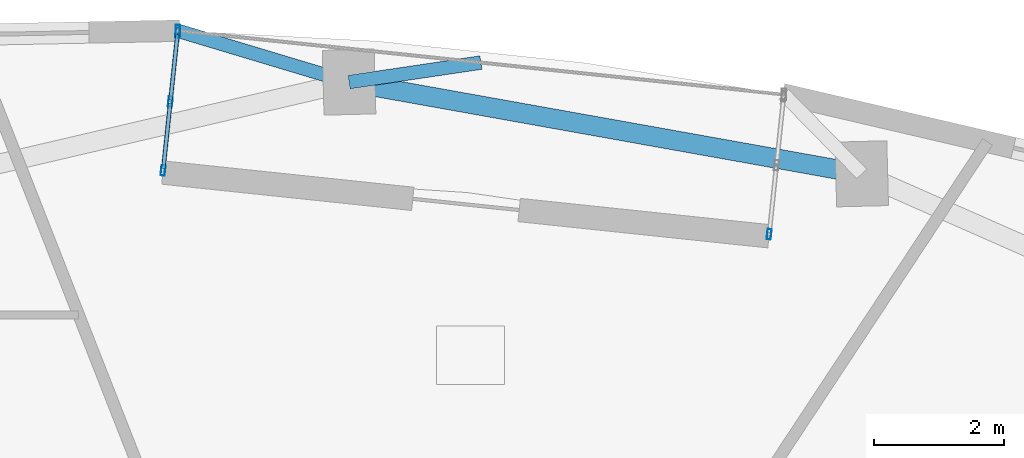
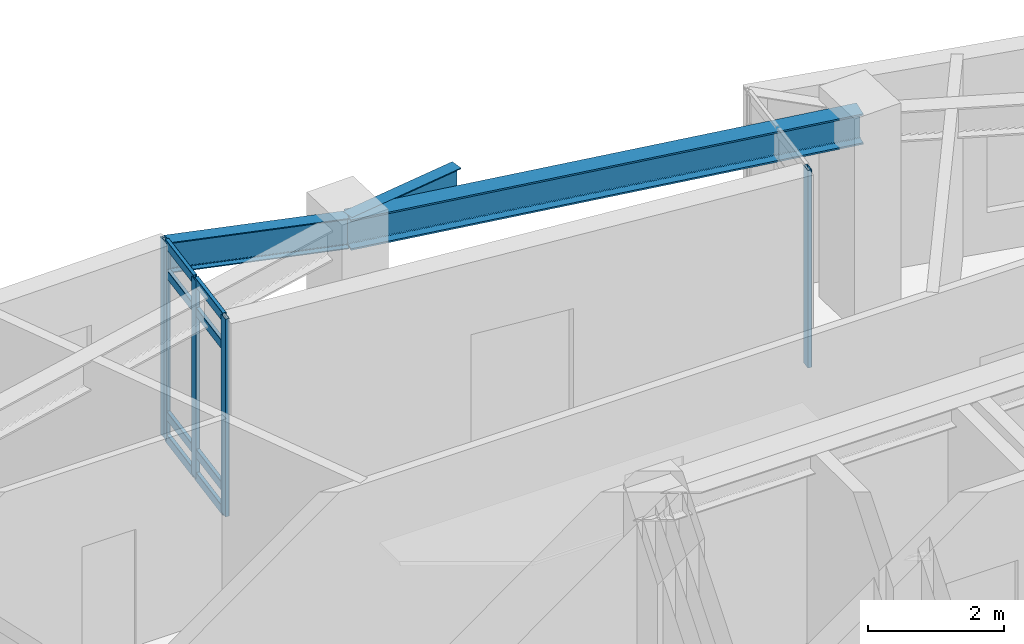
# One storey, part 2 of 12: 13 members, 3 beams, 2 elements without a shape of their own.
"""IFC4 building model written with IfcOpenShell, lengths in metres."""

import ifcopenshell
import ifcopenshell.guid

model = None  # the IFC model being written
_history = None  # IfcOwnerHistory: only IFC2X3 demands one
_inside = {}  # id of a spatial element -> (the spatial element, [elements in it])
_under = {}  # id of a project, library or spatial element -> (it, [spatial elements below it])
_declared = {}  # id of a project -> (the project, [libraries it declares])
_typed = {}  # id of a type object -> (the type object, [elements of that type])
_made_of = {}  # id of a material, layer set ... -> (it, [elements and type objects made of it])


def new_model(schema):
    """Start an empty IFC model of exactly this schema.

    Asked for "IFC4X3", IfcOpenShell would pick the latest addendum, in which some entities
    have other attributes; the version numbers below select the first issue.
    IFC2X3 requires an IfcOwnerHistory on every rooted entity: one is made here for all.
    """
    global model, _history
    if schema == "IFC4X3":
        model = ifcopenshell.file(schema_version=(4, 3, 0, 0))
    else:
        model = ifcopenshell.file(schema=schema)
    _inside.clear()
    _under.clear()
    _declared.clear()
    _typed.clear()
    _made_of.clear()
    _history = None
    if model.schema == "IFC2X3":
        org = make("IfcOrganization", Name="unknown")
        user = make(
            "IfcPersonAndOrganization",
            ThePerson=make("IfcPerson", FamilyName="unknown"),
            TheOrganization=org,
        )
        app = make(
            "IfcApplication",
            ApplicationDeveloper=org,
            Version="unknown",
            ApplicationFullName="unknown",
            ApplicationIdentifier="unknown",
        )
        _history = make(
            "IfcOwnerHistory",
            OwningUser=user,
            OwningApplication=app,
            ChangeAction="ADDED",
            CreationDate=0,
        )
    return model


def make(cls, **values):
    """One entity of the class cls with the attributes given. An attribute that is None is left unset."""
    return model.create_entity(
        cls, **{name: value for name, value in values.items() if value is not None}
    )


def rooted(cls, **values):
    """An entity with a GlobalId (a new one), such as an element, a storey or a relation."""
    return make(cls, GlobalId=ifcopenshell.guid.new(), OwnerHistory=_history, **values)


def si_unit(unit_type, name, prefix=None):
    """IfcSIUnit, for example si_unit("LENGTHUNIT", "METRE", prefix="MILLI")."""
    return make("IfcSIUnit", UnitType=unit_type, Prefix=prefix, Name=name)


def assignment(units):
    """IfcUnitAssignment: the units of a project."""
    return None if units is None else make("IfcUnitAssignment", Units=units)


def point(xyz):
    """IfcCartesianPoint."""
    return None if xyz is None else make("IfcCartesianPoint", Coordinates=xyz)


def direction(xyz):
    """IfcDirection."""
    return None if xyz is None else make("IfcDirection", DirectionRatios=xyz)


def frame(location, z_axis=None, x_axis=None):
    """IfcAxis2Placement3D, a coordinate frame: its origin and axes. An axis left out is left unset."""
    return make(
        "IfcAxis2Placement3D",
        Location=point(location),
        Axis=direction(z_axis),
        RefDirection=direction(x_axis),
    )


def frame_2d(location, x_axis=None):
    """IfcAxis2Placement2D, a coordinate frame in the plane: its origin and x axis."""
    return make(
        "IfcAxis2Placement2D", Location=point(location), RefDirection=direction(x_axis)
    )


def origin():
    """The frame at (0, 0, 0) with its axes left unset."""
    return frame((0.0, 0.0, 0.0))


def origin_2d():
    """The frame at (0, 0) in the plane with its x axis left unset."""
    return frame_2d((0.0, 0.0))


def place(relative_to, where):
    """IfcLocalPlacement: puts the frame where relative to a parent placement (None: the world)."""
    return make(
        "IfcLocalPlacement", PlacementRelTo=relative_to, RelativePlacement=where
    )


def context(
    kind, dimensions, precision=None, world=None, true_north=None, identifier=None
):
    """IfcGeometricRepresentationContext, for example the 3D "Model" context."""
    return make(
        "IfcGeometricRepresentationContext",
        ContextIdentifier=identifier,
        ContextType=kind,
        CoordinateSpaceDimension=dimensions,
        Precision=precision,
        WorldCoordinateSystem=world,
        TrueNorth=true_north,
    )


def subcontext(parent, identifier, kind, view, scale=None):
    """IfcGeometricRepresentationSubContext, for example "Body" below "Model"."""
    return make(
        "IfcGeometricRepresentationSubContext",
        ContextIdentifier=identifier,
        ContextType=kind,
        ParentContext=parent,
        TargetScale=scale,
        TargetView=view,
    )


def project(units=None, contexts=None):
    """IfcProject with its units and contexts."""
    return rooted(
        "IfcProject",
        Name="project",
        RepresentationContexts=contexts,
        UnitsInContext=assignment(units),
    )


def spatial(cls, under=None, at=None, **own):
    """A site, building, storey or space (cls), placed at a placement, below another one or the project."""
    s = rooted(cls, ObjectPlacement=at, **own)
    if under is not None:
        _under.setdefault(under.id(), (under, []))[1].append(s)
    return s


def profile(cls, at=None, kind="AREA", **sizes):
    """A parametric profile (cls). Its sizes go by their IFC names, for example OverallWidth=200.0."""
    return make(cls, ProfileType=kind, Position=at, **sizes)


def hollow_rectangle(**sizes):
    """IfcRectangleHollowProfileDef."""
    return profile("IfcRectangleHollowProfileDef", **sizes)


def i_section(**sizes):
    """IfcIShapeProfileDef."""
    return profile("IfcIShapeProfileDef", **sizes)


def extrude(swept, where, along, depth):
    """IfcExtrudedAreaSolid: the profile swept, set in the frame where, extruded along a direction by depth."""
    return make(
        "IfcExtrudedAreaSolid",
        SweptArea=swept,
        Position=where,
        ExtrudedDirection=direction(along),
        Depth=depth,
    )


def shape(context_of_items, identifier, shape_type, items):
    """IfcShapeRepresentation: the items that make up one representation, for example the "Body"."""
    return make(
        "IfcShapeRepresentation",
        ContextOfItems=context_of_items,
        RepresentationIdentifier=identifier,
        RepresentationType=shape_type,
        Items=items,
    )


def material(Name=None, Category=None):
    """IfcMaterial."""
    return make("IfcMaterial", Name=Name, Category=Category)


def layer(
    of_material, thickness, ventilated=None, Name=None, Category=None, Priority=None
):
    """IfcMaterialLayer: one layer of a wall or slab, of a material (None: an air gap)."""
    return make(
        "IfcMaterialLayer",
        Material=of_material,
        LayerThickness=thickness,
        IsVentilated=ventilated,
        Name=Name,
        Category=Category,
        Priority=Priority,
    )


def layer_set(layers, Name=None):
    """IfcMaterialLayerSet."""
    return make("IfcMaterialLayerSet", MaterialLayers=layers, LayerSetName=Name)


def material_profile(
    of_material, cross_section, Name=None, Category=None, Priority=None
):
    """IfcMaterialProfile: a cross section and its material."""
    return make(
        "IfcMaterialProfile",
        Name=Name,
        Material=of_material,
        Profile=cross_section,
        Priority=Priority,
        Category=Category,
    )


def profile_set(profiles, Name=None, composite=None):
    """IfcMaterialProfileSet."""
    return make(
        "IfcMaterialProfileSet",
        Name=Name,
        MaterialProfiles=profiles,
        CompositeProfile=composite,
    )


def made_of(thing, what):
    """Note that an element or type object is made of a material, layer set ...; save() writes the relation."""
    if what is not None:
        _made_of.setdefault(what.id(), (what, []))[1].append(thing)
    return thing


def type_object(cls, material=None, **own):
    """A type object (cls), such as IfcWallType, which elements share."""
    return made_of(rooted(cls, **own), material)


def element(
    cls,
    number,
    at=None,
    inside=None,
    cuts=None,
    type_object=None,
    material=None,
    context=None,
    identifier="Body",
    shape_type=None,
    held_by="IfcProductDefinitionShape",
    body=None,
    shapes=None,
    **own,
):
    """One element of the class cls, such as IfcWall. Its Tag is "e" and its number.

    at: its placement. inside: the storey or other place that contains it. cuts: it is an
    opening in that element (IfcRelVoidsElement). A single representation is given by context,
    identifier, shape_type and body (its items); several are given by shapes. held_by: the class
    of the entity that holds the representations. save() writes the other relations.
    """
    e = rooted(cls, Tag="e%d" % number, ObjectPlacement=at, **own)
    if body is not None:
        shapes = [shape(context, identifier, shape_type, body)]
    if shapes is not None:
        e.Representation = make(held_by, Representations=shapes)
    if inside is not None:
        _inside.setdefault(inside.id(), (inside, []))[1].append(e)
    if cuts is not None:
        rooted(
            "IfcRelVoidsElement", RelatingBuildingElement=cuts, RelatedOpeningElement=e
        )
    if type_object is not None:
        _typed.setdefault(type_object.id(), (type_object, []))[1].append(e)
    return made_of(e, material)


def aggregate(whole, parts):
    """IfcRelAggregates: a whole, such as a stair, and the parts it consists of."""
    return rooted("IfcRelAggregates", RelatingObject=whole, RelatedObjects=parts)


def save(model, path):
    """Write the relations noted so far, then the file.

    IfcRelAggregates (storeys below a building ...), IfcRelContainedInSpatialStructure (elements
    in a storey), IfcRelDefinesByType, IfcRelAssociatesMaterial and IfcRelDeclares: one each for
    every whole, place, type object, material and project.
    """
    for whole, parts in _under.values():
        aggregate(whole, parts)
    for where, things in _inside.values():
        rooted(
            "IfcRelContainedInSpatialStructure",
            RelatedElements=things,
            RelatingStructure=where,
        )
    for kind, things in _typed.values():
        rooted("IfcRelDefinesByType", RelatedObjects=things, RelatingType=kind)
    for what, things in _made_of.values():
        rooted("IfcRelAssociatesMaterial", RelatedObjects=things, RelatingMaterial=what)
    for by, libraries in _declared.values():
        rooted("IfcRelDeclares", RelatingContext=by, RelatedDefinitions=libraries)
    model.write(path)


model = new_model("IFC4")

# Units and contexts
model_context = context("Model", 3, precision=1e-05, world=origin(), true_north=direction((0.0, 1.0)))
body_context = subcontext(model_context, "Body", "Model", "MODEL_VIEW")
ifc_project = project(units=[si_unit("LENGTHUNIT", "METRE"), si_unit("AREAUNIT", "SQUARE_METRE"), si_unit("VOLUMEUNIT", "CUBIC_METRE"), si_unit("PLANEANGLEUNIT", "RADIAN"), si_unit("MASSUNIT", "GRAM", prefix="KILO")], contexts=[model_context])

# Site, building, storey
site_placement = place(None, origin())
site = spatial("IfcSite", under=ifc_project, at=site_placement, CompositionType="ELEMENT")
building_placement = place(site_placement, origin())
building = spatial("IfcBuilding", under=site, at=building_placement, Name="Ndelora Gate Hotel", CompositionType="ELEMENT")
storey_placement = place(building_placement, frame((0.0, 0.0, 190.35009765625)))
storey = spatial("IfcBuildingStorey", under=building, at=storey_placement, Name="L47", CompositionType="ELEMENT", Elevation=190.35009765625)

# Beams
ifc_material_1 = material(Name="Steel S355", Category="steel")
ifc_material_profile_1 = material_profile(ifc_material_1, i_section(OverallWidth=0.2099609375, OverallDepth=0.550048828125, WebThickness=0.010986328125, FlangeThickness=0.01708984375, FilletRadius=0.02392578125, at=origin_2d()), Name="IPE 550")
ifc_profile_set_1 = profile_set([ifc_material_profile_1], Name="Steel S355")
beam_type_1 = type_object("IfcBeamType", Name="BM-RAD-550", PredefinedType="BEAM", material=ifc_profile_set_1)
beam_1_placement = place(storey_placement, frame((-0.399169921875, 15.242919921875, 3.27490234375), z_axis=(0.989197083219, 0.146591713786, 0.0), x_axis=(-0.146591713786, 0.989197083219, 0.0)))
element("IfcBeam", 1, at=beam_1_placement, inside=storey, type_object=beam_type_1, Name="L47 Sky-Garden Loggia Column Bracket 2", PredefinedType="BEAM", context=body_context, shape_type="SweptSolid", body=[
    extrude(i_section(OverallWidth=0.2099609375, OverallDepth=0.550048828125, WebThickness=0.010986328125, FlangeThickness=0.01708984375, FilletRadius=0.02392578125, at=origin_2d()), origin(), (0.0, 0.0, 1.0), 2.05517578125),
])
beam_2_placement = place(storey_placement, frame((-0.399169921875, 15.242919921875, 3.27490234375), z_axis=(-0.957794603909, 0.287453468795, 0.0), x_axis=(-0.287453468795, -0.957794603909, 0.0)))
element("IfcBeam", 2, at=beam_2_placement, inside=storey, type_object=beam_type_1, Name="L47 Sky-Garden Loggia Column Bracket 3", PredefinedType="BEAM", context=body_context, shape_type="SweptSolid", body=[
    extrude(i_section(OverallWidth=0.2099609375, OverallDepth=0.550048828125, WebThickness=0.010986328125, FlangeThickness=0.01708984375, FilletRadius=0.02392578125, at=origin_2d()), origin(), (0.0, 0.0, 1.0), 2.7578125),
])
ifc_material_profile_2 = material_profile(ifc_material_1, i_section(OverallWidth=0.300048828125, OverallDepth=0.550048828125, WebThickness=0.014892578125, FlangeThickness=0.029052734375, FilletRadius=0.027099609375, at=origin_2d()), Name="HEB 550")
ifc_profile_set_2 = profile_set([ifc_material_profile_2], Name="Steel S355")
beam_type_2 = type_object("IfcBeamType", Name="BM-RING-550", PredefinedType="SPANDREL", material=ifc_profile_set_2)
beam_3_placement = place(storey_placement, frame((7.50830078125, 13.828369140625, 3.27490234375), z_axis=(-0.984373619655, 0.176092523767, 0.0), x_axis=(-0.176092523767, -0.984373619655, 0.0)))
element("IfcBeam", 3, at=beam_3_placement, inside=storey, type_object=beam_type_2, Name="L47 Perimeter Spandrel Girder 10", PredefinedType="SPANDREL", context=body_context, shape_type="SweptSolid", body=[
    extrude(i_section(OverallWidth=0.300048828125, OverallDepth=0.550048828125, WebThickness=0.014892578125, FlangeThickness=0.029052734375, FilletRadius=0.027099609375, at=origin_2d()), origin(), (0.0, 0.0, 1.0), 8.032958984375),
])

# Curtain wall, member
ifc_material_2 = material(Name="Bronze Anodised Unitised Aluminium and Low-E Glass", Category="aluminium")
ifc_layer = layer(ifc_material_2, 0.199951171875)
ifc_layer_set = layer_set([ifc_layer], Name="Bronze Anodised Unitised Aluminium and Low-E Glass")
curtain_wall_type = type_object("IfcCurtainWallType", Name="CW-SYS-3", PredefinedType="NOTDEFINED", material=ifc_layer_set)
curtain_wall_1_placement = place(storey_placement, origin())
curtain_wall_1 = element("IfcCurtainWall", 4, at=curtain_wall_1_placement, inside=storey, type_object=curtain_wall_type, Name="L47 Sky-Garden Loggia Side Curtain Wall CW3-1", PredefinedType="NOTDEFINED")
ifc_material_3 = material(Name="Bronze Anodised Aluminium 6063-T6", Category="aluminium")
ifc_material_profile_3 = material_profile(ifc_material_3, hollow_rectangle(XDim=0.06494140625, YDim=0.159912109375, WallThickness=0.00390625, InnerFilletRadius=0.00390625, OuterFilletRadius=0.008056640625, at=origin_2d()), Name="ALU 160x65x4")
ifc_profile_set_3 = profile_set([ifc_material_profile_3], Name="Bronze Anodised Aluminium 6063-T6")
member_type_1 = type_object("IfcMemberType", Name="MB-CW-MUL150", PredefinedType="MULLION", material=ifc_profile_set_3)
member_1_placement = place(storey_placement, frame((6.08154296875, 12.897216796875, -0.004150390625), z_axis=(0.0, 0.0, 1.0), x_axis=(-0.994525111167, 0.104497862459, 0.0)))
member_1 = element("IfcMember", 5, at=member_1_placement, type_object=member_type_1, Name="CW3 mullion 1", PredefinedType="MULLION", context=body_context, shape_type="SweptSolid", body=[
    extrude(hollow_rectangle(XDim=0.06494140625, YDim=0.159912109375, WallThickness=0.00390625, InnerFilletRadius=0.00390625, OuterFilletRadius=0.008056640625, at=origin_2d()), origin(), (0.0, 0.0, 1.0), 3.55810546875),
])
aggregate(curtain_wall_1, [member_1])

# Curtain wall, members
curtain_wall_2_placement = place(storey_placement, origin())
curtain_wall_2 = element("IfcCurtainWall", 6, at=curtain_wall_2_placement, inside=storey, type_object=curtain_wall_type, Name="L47 Sky-Garden Loggia Side Curtain Wall CW3-2", PredefinedType="NOTDEFINED")
member_2_placement = place(storey_placement, frame((-3.0439453125, 16.003173828125, -0.004150390625), z_axis=(0.0, 0.0, 1.0), x_axis=(0.994525111167, -0.104497862459, 0.0)))
member_2 = element("IfcMember", 7, at=member_2_placement, type_object=member_type_1, Name="CW3 mullion 1", PredefinedType="MULLION", context=body_context, shape_type="SweptSolid", body=[
    extrude(hollow_rectangle(XDim=0.06494140625, YDim=0.159912109375, WallThickness=0.00390625, InnerFilletRadius=0.00390625, OuterFilletRadius=0.008056640625, at=origin_2d()), origin(), (0.0, 0.0, 1.0), 3.55810546875),
])
member_3_placement = place(storey_placement, frame((-3.155517578125, 14.941650390625, -0.004150390625), z_axis=(0.0, 0.0, 1.0), x_axis=(0.994525111167, -0.104497862459, 0.0)))
member_3 = element("IfcMember", 8, at=member_3_placement, type_object=member_type_1, Name="CW3 mullion 2", PredefinedType="MULLION", context=body_context, shape_type="SweptSolid", body=[
    extrude(hollow_rectangle(XDim=0.06494140625, YDim=0.159912109375, WallThickness=0.00390625, InnerFilletRadius=0.00390625, OuterFilletRadius=0.008056640625, at=origin_2d()), origin(), (0.0, 0.0, 1.0), 3.55810546875),
])
member_4_placement = place(storey_placement, frame((-3.26708984375, 13.8798828125, -0.004150390625), z_axis=(0.0, 0.0, 1.0), x_axis=(0.994525111167, -0.104497862459, 0.0)))
member_4 = element("IfcMember", 9, at=member_4_placement, type_object=member_type_1, Name="CW3 mullion 3", PredefinedType="MULLION", context=body_context, shape_type="SweptSolid", body=[
    extrude(hollow_rectangle(XDim=0.06494140625, YDim=0.159912109375, WallThickness=0.00390625, InnerFilletRadius=0.00390625, OuterFilletRadius=0.008056640625, at=origin_2d()), origin(), (0.0, 0.0, 1.0), 3.55810546875),
])
ifc_material_profile_4 = material_profile(ifc_material_3, hollow_rectangle(XDim=0.070068359375, YDim=0.179931640625, WallThickness=0.0048828125, InnerFilletRadius=0.0048828125, OuterFilletRadius=0.010009765625, at=origin_2d()), Name="ALU 180x70x5")
ifc_profile_set_4 = profile_set([ifc_material_profile_4], Name="Bronze Anodised Aluminium 6063-T6")
member_type_2 = type_object("IfcMemberType", Name="MB-CW-MUL180", PredefinedType="MULLION", material=ifc_profile_set_4)
member_5_placement = place(storey_placement, frame((-3.04052734375, 16.03564453125, 0.0), z_axis=(0.0, 0.0, 1.0), x_axis=(1.0, 0.0, 0.0)))
member_5 = element("IfcMember", 10, at=member_5_placement, type_object=member_type_2, Name="L47 Sky-Garden Loggia Corner Mullion Post 2", PredefinedType="MULLION", context=body_context, shape_type="SweptSolid", body=[
    extrude(hollow_rectangle(XDim=0.070068359375, YDim=0.179931640625, WallThickness=0.0048828125, InnerFilletRadius=0.0048828125, OuterFilletRadius=0.010009765625, at=origin_2d()), origin(), (0.0, 0.0, 1.0), 3.5498046875),
])
ifc_material_profile_5 = material_profile(ifc_material_3, hollow_rectangle(XDim=0.06494140625, YDim=0.159912109375, WallThickness=0.00390625, InnerFilletRadius=0.00390625, OuterFilletRadius=0.008056640625, at=origin_2d()), Name="ALU 160x65x4")
ifc_profile_set_5 = profile_set([ifc_material_profile_5], Name="Bronze Anodised Aluminium 6063-T6")
member_type_3 = type_object("IfcMemberType", Name="MB-CW-TRN150", PredefinedType="USERDEFINED", material=ifc_profile_set_5)
member_6_placement = place(storey_placement, frame((-3.046630859375, 15.976806640625, 0.032470703125), z_axis=(-0.104459259027, -0.994529166593, 0.0), x_axis=(0.994529166593, -0.104459259027, 0.0)))
member_6 = element("IfcMember", 11, at=member_6_placement, type_object=member_type_3, Name="CW3 transom 1.1", ObjectType="TRANSOM", PredefinedType="USERDEFINED", context=body_context, shape_type="SweptSolid", body=[
    extrude(hollow_rectangle(XDim=0.06494140625, YDim=0.159912109375, WallThickness=0.00390625, InnerFilletRadius=0.00390625, OuterFilletRadius=0.008056640625, at=origin_2d()), origin(), (0.0, 0.0, 1.0), 1.014404296875),
])
member_7_placement = place(storey_placement, frame((-3.046630859375, 15.976806640625, 0.449951171875), z_axis=(-0.104459259027, -0.994529166593, 0.0), x_axis=(0.994529166593, -0.104459259027, 0.0)))
member_7 = element("IfcMember", 12, at=member_7_placement, type_object=member_type_3, Name="CW3 transom 1.2", ObjectType="TRANSOM", PredefinedType="USERDEFINED", context=body_context, shape_type="SweptSolid", body=[
    extrude(hollow_rectangle(XDim=0.06494140625, YDim=0.159912109375, WallThickness=0.00390625, InnerFilletRadius=0.00390625, OuterFilletRadius=0.008056640625, at=origin_2d()), origin(), (0.0, 0.0, 1.0), 1.014404296875),
])
member_8_placement = place(storey_placement, frame((-3.046630859375, 15.976806640625, 3.0), z_axis=(-0.104459259027, -0.994529166593, 0.0), x_axis=(0.994529166593, -0.104459259027, 0.0)))
member_8 = element("IfcMember", 13, at=member_8_placement, type_object=member_type_3, Name="CW3 transom 1.3", ObjectType="TRANSOM", PredefinedType="USERDEFINED", context=body_context, shape_type="SweptSolid", body=[
    extrude(hollow_rectangle(XDim=0.06494140625, YDim=0.159912109375, WallThickness=0.00390625, InnerFilletRadius=0.00390625, OuterFilletRadius=0.008056640625, at=origin_2d()), origin(), (0.0, 0.0, 1.0), 1.014404296875),
])
member_9_placement = place(storey_placement, frame((-3.046630859375, 15.976806640625, 3.517333984375), z_axis=(-0.104459259027, -0.994529166593, 0.0), x_axis=(0.994529166593, -0.104459259027, 0.0)))
member_9 = element("IfcMember", 14, at=member_9_placement, type_object=member_type_3, Name="CW3 transom 1.4", ObjectType="TRANSOM", PredefinedType="USERDEFINED", context=body_context, shape_type="SweptSolid", body=[
    extrude(hollow_rectangle(XDim=0.06494140625, YDim=0.159912109375, WallThickness=0.00390625, InnerFilletRadius=0.00390625, OuterFilletRadius=0.008056640625, at=origin_2d()), origin(), (0.0, 0.0, 1.0), 1.014404296875),
])
member_10_placement = place(storey_placement, frame((-3.158203125, 14.915283203125, 0.032470703125), z_axis=(-0.104434260277, -0.994531791991, 0.0), x_axis=(0.994531791991, -0.104434260277, 0.0)))
member_10 = element("IfcMember", 15, at=member_10_placement, type_object=member_type_3, Name="CW3 transom 2.1", ObjectType="TRANSOM", PredefinedType="USERDEFINED", context=body_context, shape_type="SweptSolid", body=[
    extrude(hollow_rectangle(XDim=0.06494140625, YDim=0.159912109375, WallThickness=0.00390625, InnerFilletRadius=0.00390625, OuterFilletRadius=0.008056640625, at=origin_2d()), origin(), (0.0, 0.0, 1.0), 1.0146484375),
])
member_11_placement = place(storey_placement, frame((-3.158203125, 14.915283203125, 0.449951171875), z_axis=(-0.104434260277, -0.994531791991, 0.0), x_axis=(0.994531791991, -0.104434260277, 0.0)))
member_11 = element("IfcMember", 16, at=member_11_placement, type_object=member_type_3, Name="CW3 transom 2.2", ObjectType="TRANSOM", PredefinedType="USERDEFINED", context=body_context, shape_type="SweptSolid", body=[
    extrude(hollow_rectangle(XDim=0.06494140625, YDim=0.159912109375, WallThickness=0.00390625, InnerFilletRadius=0.00390625, OuterFilletRadius=0.008056640625, at=origin_2d()), origin(), (0.0, 0.0, 1.0), 1.0146484375),
])
member_12_placement = place(storey_placement, frame((-3.158203125, 14.915283203125, 3.0), z_axis=(-0.104434260277, -0.994531791991, 0.0), x_axis=(0.994531791991, -0.104434260277, 0.0)))
member_12 = element("IfcMember", 17, at=member_12_placement, type_object=member_type_3, Name="CW3 transom 2.3", ObjectType="TRANSOM", PredefinedType="USERDEFINED", context=body_context, shape_type="SweptSolid", body=[
    extrude(hollow_rectangle(XDim=0.06494140625, YDim=0.159912109375, WallThickness=0.00390625, InnerFilletRadius=0.00390625, OuterFilletRadius=0.008056640625, at=origin_2d()), origin(), (0.0, 0.0, 1.0), 1.0146484375),
])
member_13_placement = place(storey_placement, frame((-3.158203125, 14.915283203125, 3.517333984375), z_axis=(-0.104434260277, -0.994531791991, 0.0), x_axis=(0.994531791991, -0.104434260277, 0.0)))
member_13 = element("IfcMember", 18, at=member_13_placement, type_object=member_type_3, Name="CW3 transom 2.4", ObjectType="TRANSOM", PredefinedType="USERDEFINED", context=body_context, shape_type="SweptSolid", body=[
    extrude(hollow_rectangle(XDim=0.06494140625, YDim=0.159912109375, WallThickness=0.00390625, InnerFilletRadius=0.00390625, OuterFilletRadius=0.008056640625, at=origin_2d()), origin(), (0.0, 0.0, 1.0), 1.0146484375),
])
aggregate(curtain_wall_2, [member_2, member_3, member_4, member_6, member_7, member_8, member_9, member_10, member_11, member_12, member_13, member_5])

save(model, "model.ifc")
